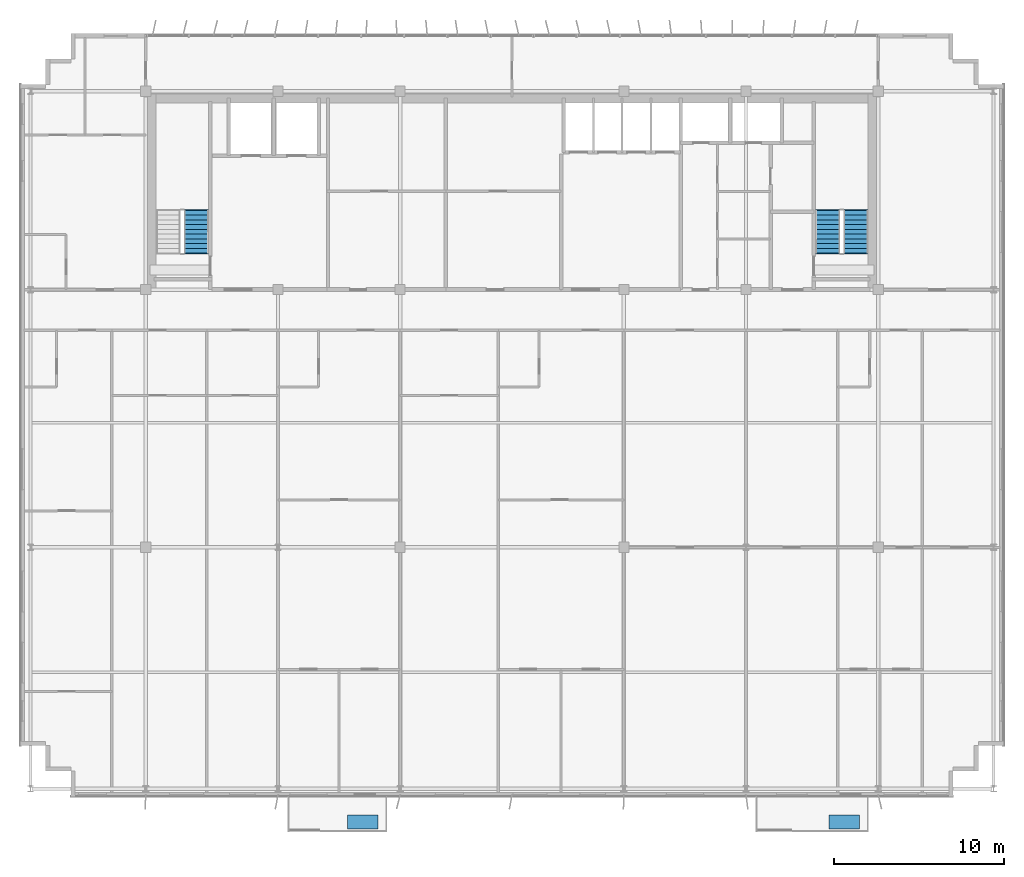
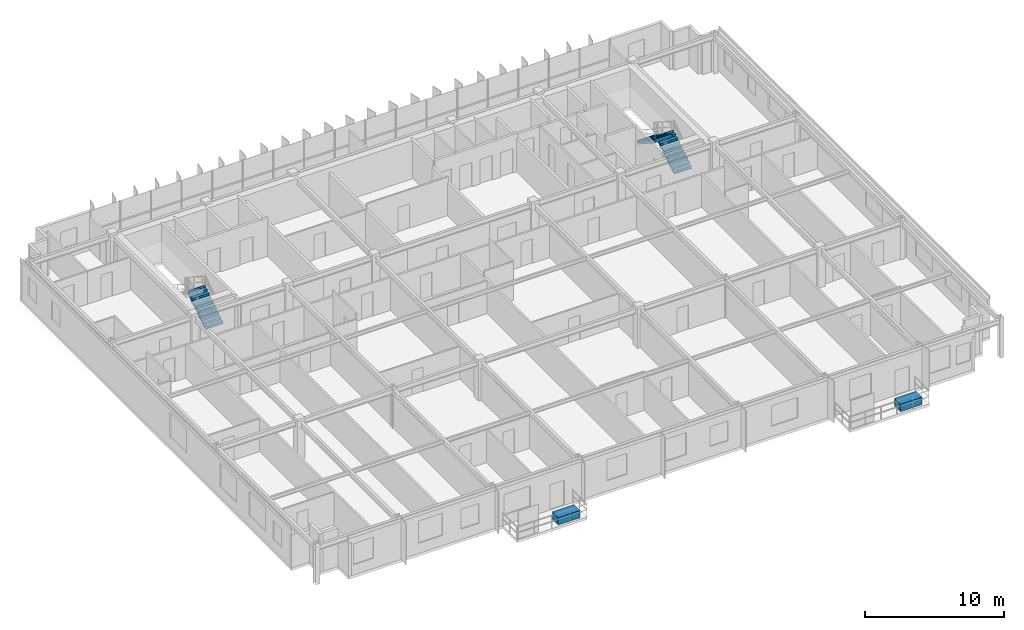
# One storey, part 21 of 23: 3 stair flights, 2 discrete accessories, 2 elements without a shape of their own.
"""IFC4 building model written with IfcOpenShell, lengths in metres."""

from ifc_helpers import new_model, si_unit, direction, frame, origin, origin_2d, place, context, subcontext, project, spatial, polyline, rectangle, outline, extrude, source, transform, mapped, material, type_object, element, aggregate, save


model = new_model("IFC4")

# Units and contexts
model_context = context("Model", 3, precision=1e-05, world=origin(), true_north=direction((0.0, 1.0)))
body_context = subcontext(model_context, "Body", "Model", "MODEL_VIEW")
ifc_project = project(units=[si_unit("LENGTHUNIT", "METRE"), si_unit("AREAUNIT", "SQUARE_METRE"), si_unit("VOLUMEUNIT", "CUBIC_METRE"), si_unit("PLANEANGLEUNIT", "RADIAN"), si_unit("MASSUNIT", "GRAM", prefix="KILO")], contexts=[model_context])

# Site, building, storey
site_placement = place(None, origin())
site = spatial("IfcSite", under=ifc_project, at=site_placement, CompositionType="ELEMENT")
building_placement = place(site_placement, origin())
building = spatial("IfcBuilding", under=site, at=building_placement, Name="Trelvane Seafront Commons", CompositionType="ELEMENT")
storey_placement = place(building_placement, frame((0.0, 0.0, 259.5)))
storey = spatial("IfcBuildingStorey", under=building, at=storey_placement, Name="L67", CompositionType="ELEMENT", Elevation=259.5)

# Stair, stair flight
ifc_material_1 = material(Name="Concrete C40/50", Category="concrete")
stair_type_1 = type_object("IfcStairType", Name="ARCH-STR-ST-1-R20-180", PredefinedType="HALF_TURN_STAIR", material=ifc_material_1)
stair_1_placement = place(storey_placement, origin())
stair_1 = element("IfcStair", 1, at=stair_1_placement, inside=storey, type_object=stair_type_1, Name="L67 West Protected Firefighting Exit Stair ST-1", PredefinedType="HALF_TURN_STAIR")
stair_flight_type_1 = type_object("IfcStairFlightType", Name="ARCH-FLG-ST-1-R20-180", PredefinedType="STRAIGHT", material=ifc_material_1)
shared_shape_1 = source(origin(), body_context, "Body", "SweptSolid", [
    extrude(outline(polyline([(-0.050048828125, -0.02001953125), (-0.050048828125, 0.0), (0.0, 0.0), (0.0, 0.179931640625), (0.280029296875, 0.179931640625), (0.280029296875, 0.360107421875), (0.56005859375, 0.360107421875), (0.56005859375, 0.5400390625), (0.840087890625, 0.5400390625), (0.840087890625, 0.719970703125), (1.1201171875, 0.719970703125), (1.1201171875, 0.89990234375), (1.39990234375, 0.89990234375), (1.39990234375, 1.080078125), (1.679931640625, 1.080078125), (1.679931640625, 1.260009765625), (1.9599609375, 1.260009765625), (1.9599609375, 1.43994140625), (2.239990234375, 1.43994140625), (2.239990234375, 1.6201171875), (2.52001953125, 1.6201171875), (2.52001953125, 1.800048828125), (2.570068359375, 1.800048828125), (2.570068359375, 1.650146484375), (2.52001953125, 1.44189453125), (0.277099609375, -0.02001953125), (-0.050048828125, -0.02001953125)])), frame((0.0, 0.72509765625, 0.0), z_axis=(0.0, -1.0, 0.0), x_axis=(1.0, 0.0, 0.0)), (0.0, 0.0, 1.0), 1.449951171875),
])
stair_flight_1_placement = place(storey_placement, frame((18.574951171875, 35.550048828125, 0.0), z_axis=(0.0, 0.0, 1.0), x_axis=(0.0, 1.0, 0.0)))
stair_flight_1 = element("IfcStairFlight", 2, at=stair_flight_1_placement, type_object=stair_flight_type_1, Name="ST-1 flight 1", NumberOfRisers=10, NumberOfTreads=9, PredefinedType="STRAIGHT", RiserHeight=0.18, TreadLength=0.28, context=body_context, shape_type="MappedRepresentation", body=[
    mapped(shared_shape_1, transform((0.0, 0.0, 0.0), x_axis=(1.0, 0.0, 0.0), y_axis=(0.0, 1.0, 0.0), z_axis=(0.0, 0.0, 1.0), scale=1.0)),
])
aggregate(stair_1, [stair_flight_1])

# Stair, stair flights
stair_type_2 = type_object("IfcStairType", Name="ARCH-STR-ST-2-R20-180", PredefinedType="HALF_TURN_STAIR", material=ifc_material_1)
stair_2_placement = place(storey_placement, origin())
stair_2 = element("IfcStair", 3, at=stair_2_placement, inside=storey, type_object=stair_type_2, Name="L67 East Protected Firefighting Exit Stair ST-2", PredefinedType="HALF_TURN_STAIR")
stair_flight_type_2 = type_object("IfcStairFlightType", Name="ARCH-FLG-ST-2-R20-180", PredefinedType="STRAIGHT", material=ifc_material_1)
stair_flight_2_placement = place(storey_placement, frame((57.47509765625, 35.550048828125, 0.0), z_axis=(0.0, 0.0, 1.0), x_axis=(0.0, 1.0, 0.0)))
stair_flight_2 = element("IfcStairFlight", 4, at=stair_flight_2_placement, type_object=stair_flight_type_2, Name="ST-2 flight 1", NumberOfRisers=10, NumberOfTreads=9, PredefinedType="STRAIGHT", RiserHeight=0.18, TreadLength=0.28, context=body_context, shape_type="MappedRepresentation", body=[
    mapped(shared_shape_1, transform((0.0, 0.0, 0.0), x_axis=(1.0, 0.0, 0.0), y_axis=(0.0, 1.0, 0.0), z_axis=(0.0, 0.0, 1.0), scale=1.0)),
])
stair_flight_3_placement = place(storey_placement, frame((55.824951171875, 38.070068359375, 1.800048828125), z_axis=(0.0, 0.0, 1.0), x_axis=(0.0, -1.0, 0.0)))
stair_flight_3 = element("IfcStairFlight", 5, at=stair_flight_3_placement, type_object=stair_flight_type_2, Name="ST-2 flight 2", NumberOfRisers=10, NumberOfTreads=9, PredefinedType="STRAIGHT", RiserHeight=0.18, TreadLength=0.28, context=body_context, shape_type="MappedRepresentation", body=[
    mapped(shared_shape_1, transform((0.0, 0.0, 0.0), x_axis=(1.0, 0.0, 0.0), y_axis=(0.0, 1.0, 0.0), z_axis=(0.0, 0.0, 1.0), scale=1.0)),
])
aggregate(stair_2, [stair_flight_2, stair_flight_3])

# Discrete accessories
ifc_material_2 = material(Name="Precast concrete C40/50", Category="concrete")
discrete_accessory_type = type_object("IfcDiscreteAccessoryType", Name="ARCH-ACC-PLANTER", PredefinedType="USERDEFINED", material=ifc_material_2)
shared_shape_2 = source(origin(), body_context, "Body", "SweptSolid", [
    extrude(rectangle(XDim=1.800048828125, YDim=0.85009765625, at=origin_2d()), origin(), (0.0, 0.0, 1.0), 0.64990234375),
])
for number, where, z_axis, x_axis, name in (
    (6, (28.39990234375, 2.0, 0.0), (0.0, 0.0, 1.0), (1.0, 0.0, 0.0), "PLN-L67-B0-069"),
    (7, (56.800048828125, 2.0, 0.0), (0.0, 0.0, 1.0), (1.0, 0.0, 0.0), "PLN-L67-B1-070"),
):
    element("IfcDiscreteAccessory", number, at=place(storey_placement, frame(where, z_axis=z_axis, x_axis=x_axis)), inside=storey, type_object=discrete_accessory_type, Name=name, ObjectType="BALCONY TREE PLANTER", PredefinedType="USERDEFINED", context=body_context, shape_type="MappedRepresentation", body=[
        mapped(shared_shape_2, transform((0.0, 0.0, 0.0), x_axis=(1.0, 0.0, 0.0), y_axis=(0.0, 1.0, 0.0), z_axis=(0.0, 0.0, 1.0), scale=1.0)),
    ])

save(model, "model.ifc")
